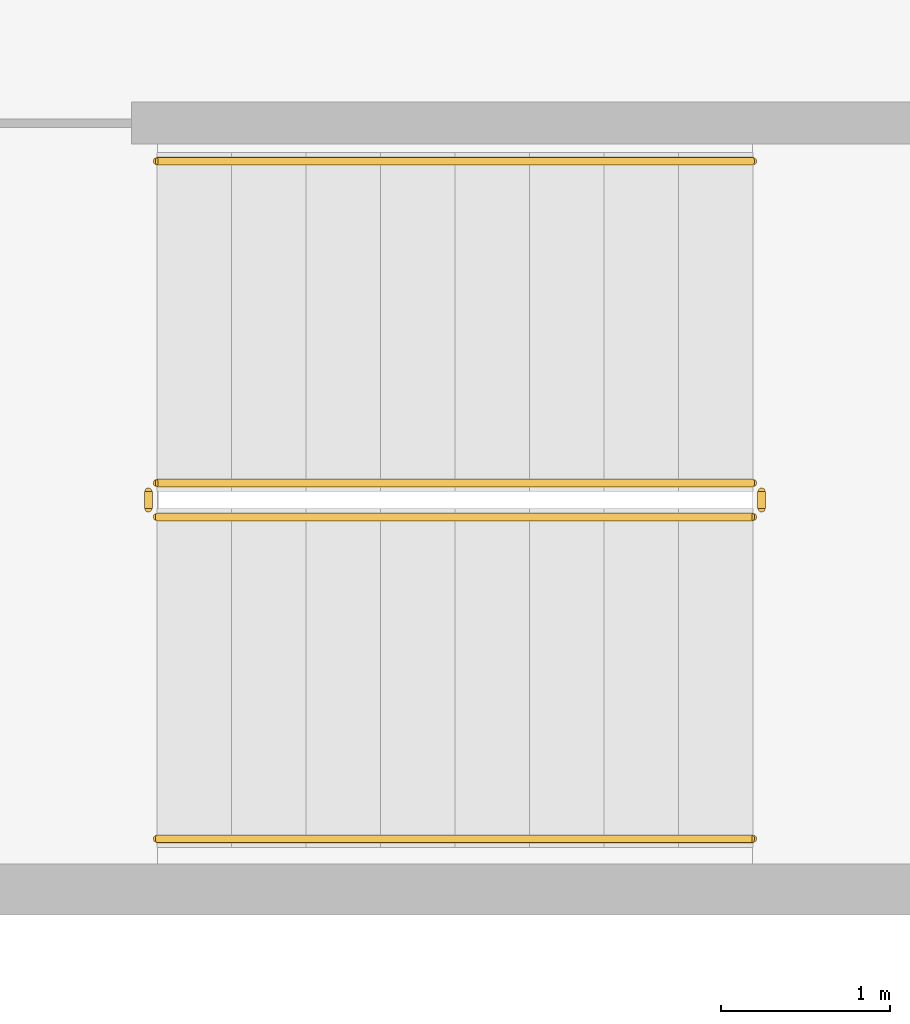
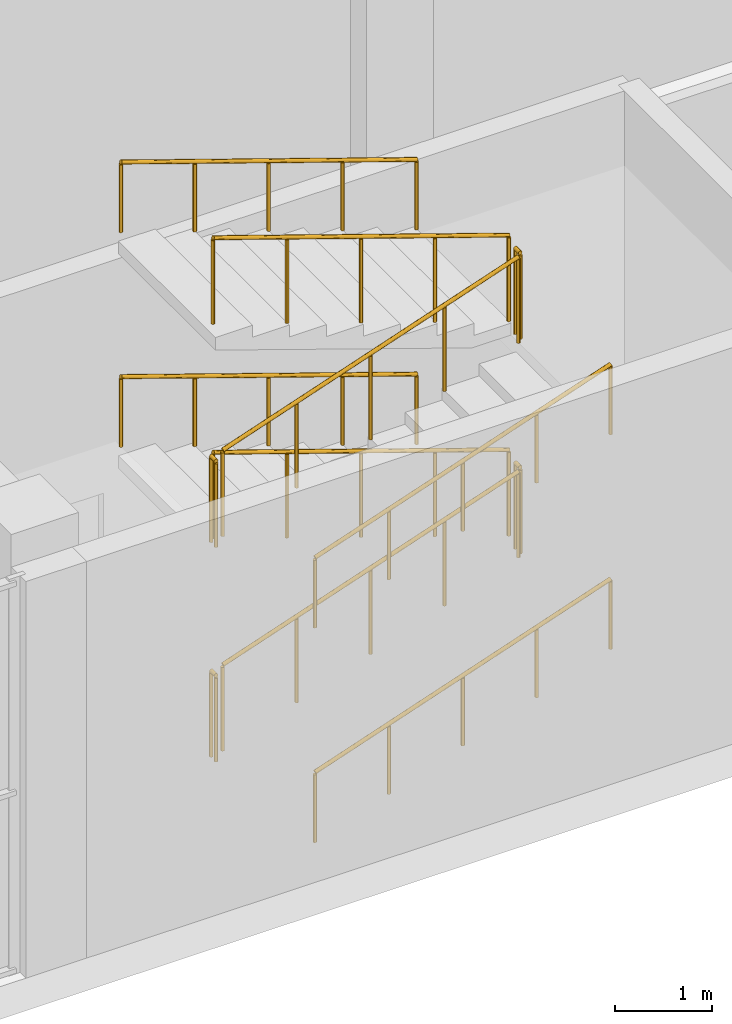
# One storey, part 27 of 35: 12 railings.
"""IFC4 building model written with IfcOpenShell, lengths in metres."""

from ifc_helpers import new_model, si_unit, direction, frame, origin, origin_2d, place, context, subcontext, project, spatial, circle, extrude, material, type_object, element, save


model = new_model("IFC4")

# Units and contexts
model_context = context("Model", 3, precision=1e-05, world=origin(), true_north=direction((0.0, 1.0)))
body_context = subcontext(model_context, "Body", "Model", "MODEL_VIEW")
ifc_project = project(units=[si_unit("LENGTHUNIT", "METRE"), si_unit("AREAUNIT", "SQUARE_METRE"), si_unit("VOLUMEUNIT", "CUBIC_METRE"), si_unit("PLANEANGLEUNIT", "RADIAN"), si_unit("MASSUNIT", "GRAM", prefix="KILO")], contexts=[model_context])

# Site, building, storey
site_placement = place(None, origin())
site = spatial("IfcSite", under=ifc_project, at=site_placement, CompositionType="ELEMENT")
building_placement = place(site_placement, origin())
building = spatial("IfcBuilding", under=site, at=building_placement, Name="Jabali Bay Hotel Tower and Convention Centre", CompositionType="ELEMENT")
storey_placement = place(building_placement, frame((0.0, 0.0, 15.0)))
storey = spatial("IfcBuildingStorey", under=building, at=storey_placement, Name="L02", CompositionType="ELEMENT", Elevation=15.0)

# Railings
ifc_material = material(Name="Stainless steel 304", Category="steel")
railing_type_1 = type_object("IfcRailingType", Name="CC Stair Guard 1100", PredefinedType="GUARDRAIL", material=ifc_material)
railing_1_placement = place(storey_placement, frame((164.0, 51.64990234375, 0.14990234375)))
element("IfcRailing", 1, at=railing_1_placement, inside=storey, type_object=railing_type_1, Name="L02 CC-STS1 stair guard 1", PredefinedType="GUARDRAIL", context=body_context, shape_type="SweptSolid", body=[
    extrude(circle(Radius=0.02392578125, at=origin_2d()), frame((0.0, 0.0, 1.076171875), z_axis=(0.946494694335, 0.0, 0.322719372822), x_axis=(0.0, 1.0, 0.0)), (0.0, 0.0, 1.0), 3.718994140625),
    extrude(circle(Radius=0.02099609375, at=origin_2d()), origin(), (0.0, 0.0, 1.0), 1.052001953125),
    extrude(circle(Radius=0.02099609375, at=origin_2d()), frame((0.8798828125, 0.0, 0.300048828125)), (0.0, 0.0, 1.0), 1.052001953125),
    extrude(circle(Radius=0.02099609375, at=origin_2d()), frame((1.760009765625, 0.0, 0.60009765625)), (0.0, 0.0, 1.0), 1.052001953125),
    extrude(circle(Radius=0.02099609375, at=origin_2d()), frame((2.64013671875, 0.0, 0.900146484375)), (0.0, 0.0, 1.0), 1.052001953125),
    extrude(circle(Radius=0.02099609375, at=origin_2d()), frame((3.52001953125, 0.0, 1.2001953125)), (0.0, 0.0, 1.0), 1.052001953125),
])
railing_2_placement = place(storey_placement, frame((167.570068359375, 51.699951171875, 1.35009765625)))
element("IfcRailing", 2, at=railing_2_placement, inside=storey, type_object=railing_type_1, Name="L02 CC-STS1 stair guard 2", PredefinedType="GUARDRAIL", context=body_context, shape_type="SweptSolid", body=[
    extrude(circle(Radius=0.02392578125, at=origin_2d()), frame((0.0, 0.0, 1.076171875), z_axis=(0.0, 1.0, 0.0), x_axis=(-1.0, 0.0, 0.0)), (0.0, 0.0, 1.0), 0.10009765625),
    extrude(circle(Radius=0.02099609375, at=origin_2d()), origin(), (0.0, 0.0, 1.0), 1.052001953125),
    extrude(circle(Radius=0.02099609375, at=origin_2d()), frame((0.0, 0.10009765625, 0.0)), (0.0, 0.0, 1.0), 1.052001953125),
])
railing_3_placement = place(storey_placement, frame((167.52001953125, 51.85009765625, 1.5)))
element("IfcRailing", 3, at=railing_3_placement, inside=storey, type_object=railing_type_1, Name="L02 CC-STS1 stair guard 3", PredefinedType="GUARDRAIL", context=body_context, shape_type="SweptSolid", body=[
    extrude(circle(Radius=0.02392578125, at=origin_2d()), frame((0.0, 0.0, 1.076171875), z_axis=(-0.946514744872, 0.0, 0.322660561177), x_axis=(0.0, -1.0, 0.0)), (0.0, 0.0, 1.0), 3.718994140625),
    extrude(circle(Radius=0.02099609375, at=origin_2d()), origin(), (0.0, 0.0, 1.0), 1.052001953125),
    extrude(circle(Radius=0.02099609375, at=origin_2d()), frame((-0.8798828125, 0.0, 0.300048828125)), (0.0, 0.0, 1.0), 1.052001953125),
    extrude(circle(Radius=0.02099609375, at=origin_2d()), frame((-1.760009765625, 0.0, 0.60009765625)), (0.0, 0.0, 1.0), 1.052001953125),
    extrude(circle(Radius=0.02099609375, at=origin_2d()), frame((-2.64013671875, 0.0, 0.89990234375)), (0.0, 0.0, 1.0), 1.052001953125),
    extrude(circle(Radius=0.02099609375, at=origin_2d()), frame((-3.52001953125, 0.0, 1.199951171875)), (0.0, 0.0, 1.0), 1.052001953125),
])
railing_4_placement = place(storey_placement, frame((163.949951171875, 51.699951171875, 2.699951171875)))
element("IfcRailing", 4, at=railing_4_placement, inside=storey, type_object=railing_type_1, Name="L02 CC-STS1 stair guard 4", PredefinedType="GUARDRAIL", context=body_context, shape_type="SweptSolid", body=[
    extrude(circle(Radius=0.02392578125, at=origin_2d()), frame((0.0, 0.0, 1.076171875), z_axis=(0.0, 1.0, 0.0), x_axis=(-1.0, 0.0, 0.0)), (0.0, 0.0, 1.0), 0.10009765625),
    extrude(circle(Radius=0.02099609375, at=origin_2d()), origin(), (0.0, 0.0, 1.0), 1.052001953125),
    extrude(circle(Radius=0.02099609375, at=origin_2d()), frame((0.0, 0.10009765625, 0.0)), (0.0, 0.0, 1.0), 1.052001953125),
])
railing_5_placement = place(storey_placement, frame((164.0, 51.64990234375, 2.85009765625)))
element("IfcRailing", 5, at=railing_5_placement, inside=storey, type_object=railing_type_1, Name="L02 CC-STS1 stair guard 5", PredefinedType="GUARDRAIL", context=body_context, shape_type="SweptSolid", body=[
    extrude(circle(Radius=0.02392578125, at=origin_2d()), frame((0.0, 0.0, 1.076171875), z_axis=(0.946514744872, 0.0, 0.322660561177), x_axis=(0.0, 1.0, 0.0)), (0.0, 0.0, 1.0), 3.718994140625),
    extrude(circle(Radius=0.02099609375, at=origin_2d()), origin(), (0.0, 0.0, 1.0), 1.052001953125),
    extrude(circle(Radius=0.02099609375, at=origin_2d()), frame((0.8798828125, 0.0, 0.300048828125)), (0.0, 0.0, 1.0), 1.052001953125),
    extrude(circle(Radius=0.02099609375, at=origin_2d()), frame((1.760009765625, 0.0, 0.60009765625)), (0.0, 0.0, 1.0), 1.052001953125),
    extrude(circle(Radius=0.02099609375, at=origin_2d()), frame((2.64013671875, 0.0, 0.89990234375)), (0.0, 0.0, 1.0), 1.052001953125),
    extrude(circle(Radius=0.02099609375, at=origin_2d()), frame((3.52001953125, 0.0, 1.199951171875)), (0.0, 0.0, 1.0), 1.052001953125),
])
railing_6_placement = place(storey_placement, frame((167.570068359375, 51.699951171875, 4.050048828125)))
element("IfcRailing", 6, at=railing_6_placement, inside=storey, type_object=railing_type_1, Name="L02 CC-STS1 stair guard 6", PredefinedType="GUARDRAIL", context=body_context, shape_type="SweptSolid", body=[
    extrude(circle(Radius=0.02392578125, at=origin_2d()), frame((0.0, 0.0, 1.076171875), z_axis=(0.0, 1.0, 0.0), x_axis=(-1.0, 0.0, 0.0)), (0.0, 0.0, 1.0), 0.10009765625),
    extrude(circle(Radius=0.02099609375, at=origin_2d()), origin(), (0.0, 0.0, 1.0), 1.052001953125),
    extrude(circle(Radius=0.02099609375, at=origin_2d()), frame((0.0, 0.10009765625, 0.0)), (0.0, 0.0, 1.0), 1.052001953125),
])
railing_7_placement = place(storey_placement, frame((167.52001953125, 51.85009765625, 4.199951171875)))
element("IfcRailing", 7, at=railing_7_placement, inside=storey, type_object=railing_type_1, Name="L02 CC-STS1 stair guard 7", PredefinedType="GUARDRAIL", context=body_context, shape_type="SweptSolid", body=[
    extrude(circle(Radius=0.02392578125, at=origin_2d()), frame((0.0, 0.0, 1.076171875), z_axis=(-0.946514744872, 0.0, 0.322660561177), x_axis=(0.0, -1.0, 0.0)), (0.0, 0.0, 1.0), 3.718994140625),
    extrude(circle(Radius=0.02099609375, at=origin_2d()), origin(), (0.0, 0.0, 1.0), 1.052001953125),
    extrude(circle(Radius=0.02099609375, at=origin_2d()), frame((-0.8798828125, 0.0, 0.300048828125)), (0.0, 0.0, 1.0), 1.052001953125),
    extrude(circle(Radius=0.02099609375, at=origin_2d()), frame((-1.760009765625, 0.0, 0.60009765625)), (0.0, 0.0, 1.0), 1.052001953125),
    extrude(circle(Radius=0.02099609375, at=origin_2d()), frame((-2.64013671875, 0.0, 0.89990234375)), (0.0, 0.0, 1.0), 1.052001953125),
    extrude(circle(Radius=0.02099609375, at=origin_2d()), frame((-3.52001953125, 0.0, 1.199951171875)), (0.0, 0.0, 1.0), 1.052001953125),
])
railing_8_placement = place(storey_placement, frame((163.949951171875, 51.699951171875, 0.0)))
element("IfcRailing", 8, at=railing_8_placement, inside=storey, type_object=railing_type_1, Name="L02 CC-STS1 stair guard 8", PredefinedType="GUARDRAIL", context=body_context, shape_type="SweptSolid", body=[
    extrude(circle(Radius=0.02392578125, at=origin_2d()), frame((0.0, 0.0, 1.076171875), z_axis=(0.0, 1.0, 0.0), x_axis=(-1.0, 0.0, 0.0)), (0.0, 0.0, 1.0), 0.10009765625),
    extrude(circle(Radius=0.02099609375, at=origin_2d()), origin(), (0.0, 0.0, 1.0), 1.052001953125),
    extrude(circle(Radius=0.02099609375, at=origin_2d()), frame((0.0, 0.10009765625, 0.0)), (0.0, 0.0, 1.0), 1.052001953125),
])
railing_type_2 = type_object("IfcRailingType", Name="CC Stair Handrail 900", PredefinedType="HANDRAIL", material=ifc_material)
railing_9_placement = place(storey_placement, frame((164.0, 49.75, 0.14990234375)))
element("IfcRailing", 9, at=railing_9_placement, inside=storey, type_object=railing_type_2, Name="L02 CC-STS1 stair handrail 1", PredefinedType="HANDRAIL", context=body_context, shape_type="SweptSolid", body=[
    extrude(circle(Radius=0.02392578125, at=origin_2d()), frame((0.0, 0.0, 0.8759765625), z_axis=(0.946494694335, 0.0, 0.322719372822), x_axis=(0.0, 1.0, 0.0)), (0.0, 0.0, 1.0), 3.718994140625),
    extrude(circle(Radius=0.02099609375, at=origin_2d()), origin(), (0.0, 0.0, 1.0), 0.851806640625),
    extrude(circle(Radius=0.02099609375, at=origin_2d()), frame((0.8798828125, 0.0, 0.300048828125)), (0.0, 0.0, 1.0), 0.851806640625),
    extrude(circle(Radius=0.02099609375, at=origin_2d()), frame((1.760009765625, 0.0, 0.60009765625)), (0.0, 0.0, 1.0), 0.851806640625),
    extrude(circle(Radius=0.02099609375, at=origin_2d()), frame((2.64013671875, 0.0, 0.900146484375)), (0.0, 0.0, 1.0), 0.851806640625),
    extrude(circle(Radius=0.02099609375, at=origin_2d()), frame((3.52001953125, 0.0, 1.2001953125)), (0.0, 0.0, 1.0), 0.851806640625),
])
railing_10_placement = place(storey_placement, frame((167.52001953125, 53.75, 1.5)))
element("IfcRailing", 10, at=railing_10_placement, inside=storey, type_object=railing_type_2, Name="L02 CC-STS1 stair handrail 2", PredefinedType="HANDRAIL", context=body_context, shape_type="SweptSolid", body=[
    extrude(circle(Radius=0.02392578125, at=origin_2d()), frame((0.0, 0.0, 0.8759765625), z_axis=(-0.946514744872, 0.0, 0.322660561177), x_axis=(0.0, -1.0, 0.0)), (0.0, 0.0, 1.0), 3.718994140625),
    extrude(circle(Radius=0.02099609375, at=origin_2d()), origin(), (0.0, 0.0, 1.0), 0.851806640625),
    extrude(circle(Radius=0.02099609375, at=origin_2d()), frame((-0.8798828125, 0.0, 0.300048828125)), (0.0, 0.0, 1.0), 0.851806640625),
    extrude(circle(Radius=0.02099609375, at=origin_2d()), frame((-1.760009765625, 0.0, 0.60009765625)), (0.0, 0.0, 1.0), 0.851806640625),
    extrude(circle(Radius=0.02099609375, at=origin_2d()), frame((-2.64013671875, 0.0, 0.89990234375)), (0.0, 0.0, 1.0), 0.851806640625),
    extrude(circle(Radius=0.02099609375, at=origin_2d()), frame((-3.52001953125, 0.0, 1.199951171875)), (0.0, 0.0, 1.0), 0.851806640625),
])
railing_11_placement = place(storey_placement, frame((164.0, 49.75, 2.85009765625)))
element("IfcRailing", 11, at=railing_11_placement, inside=storey, type_object=railing_type_2, Name="L02 CC-STS1 stair handrail 3", PredefinedType="HANDRAIL", context=body_context, shape_type="SweptSolid", body=[
    extrude(circle(Radius=0.02392578125, at=origin_2d()), frame((0.0, 0.0, 0.8759765625), z_axis=(0.946514744872, 0.0, 0.322660561177), x_axis=(0.0, 1.0, 0.0)), (0.0, 0.0, 1.0), 3.718994140625),
    extrude(circle(Radius=0.02099609375, at=origin_2d()), origin(), (0.0, 0.0, 1.0), 0.851806640625),
    extrude(circle(Radius=0.02099609375, at=origin_2d()), frame((0.8798828125, 0.0, 0.300048828125)), (0.0, 0.0, 1.0), 0.851806640625),
    extrude(circle(Radius=0.02099609375, at=origin_2d()), frame((1.760009765625, 0.0, 0.60009765625)), (0.0, 0.0, 1.0), 0.851806640625),
    extrude(circle(Radius=0.02099609375, at=origin_2d()), frame((2.64013671875, 0.0, 0.89990234375)), (0.0, 0.0, 1.0), 0.851806640625),
    extrude(circle(Radius=0.02099609375, at=origin_2d()), frame((3.52001953125, 0.0, 1.199951171875)), (0.0, 0.0, 1.0), 0.851806640625),
])
railing_12_placement = place(storey_placement, frame((167.52001953125, 53.75, 4.199951171875)))
element("IfcRailing", 12, at=railing_12_placement, inside=storey, type_object=railing_type_2, Name="L02 CC-STS1 stair handrail 4", PredefinedType="HANDRAIL", context=body_context, shape_type="SweptSolid", body=[
    extrude(circle(Radius=0.02392578125, at=origin_2d()), frame((0.0, 0.0, 0.8759765625), z_axis=(-0.946514744872, 0.0, 0.322660561177), x_axis=(0.0, -1.0, 0.0)), (0.0, 0.0, 1.0), 3.718994140625),
    extrude(circle(Radius=0.02099609375, at=origin_2d()), origin(), (0.0, 0.0, 1.0), 0.851806640625),
    extrude(circle(Radius=0.02099609375, at=origin_2d()), frame((-0.8798828125, 0.0, 0.300048828125)), (0.0, 0.0, 1.0), 0.851806640625),
    extrude(circle(Radius=0.02099609375, at=origin_2d()), frame((-1.760009765625, 0.0, 0.60009765625)), (0.0, 0.0, 1.0), 0.851806640625),
    extrude(circle(Radius=0.02099609375, at=origin_2d()), frame((-2.64013671875, 0.0, 0.89990234375)), (0.0, 0.0, 1.0), 0.851806640625),
    extrude(circle(Radius=0.02099609375, at=origin_2d()), frame((-3.52001953125, 0.0, 1.199951171875)), (0.0, 0.0, 1.0), 0.851806640625),
])

save(model, "model.ifc")
